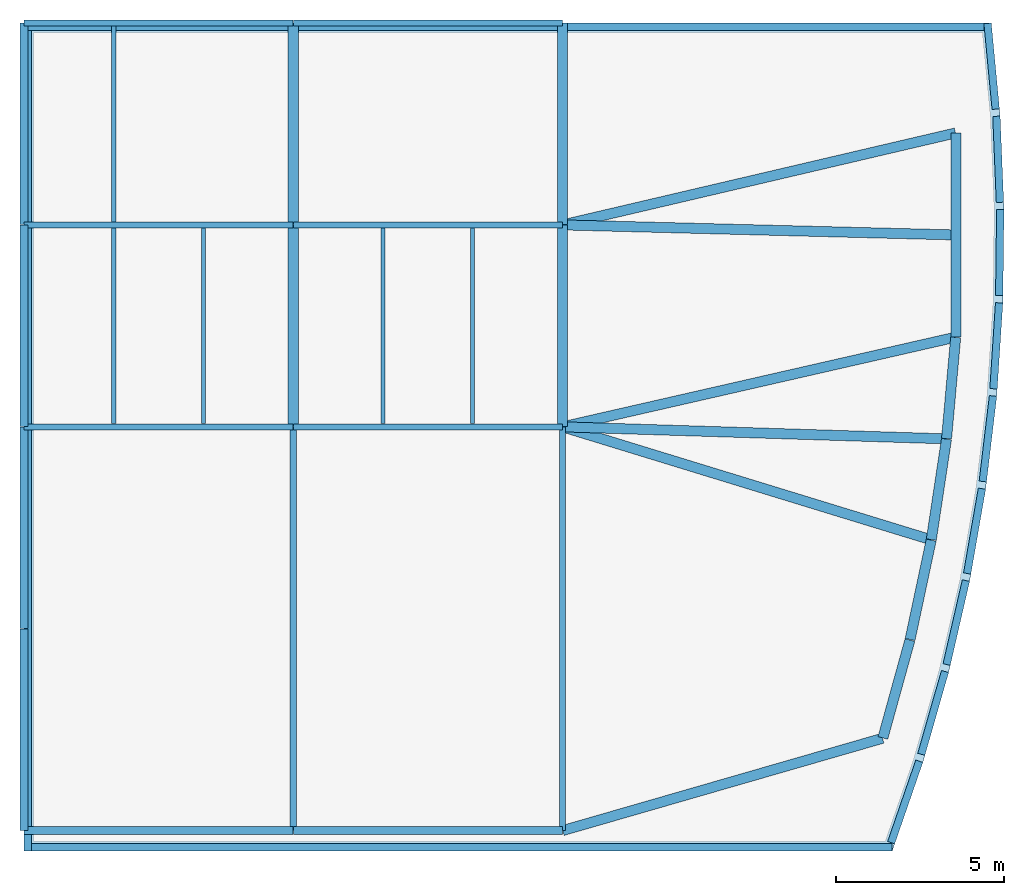
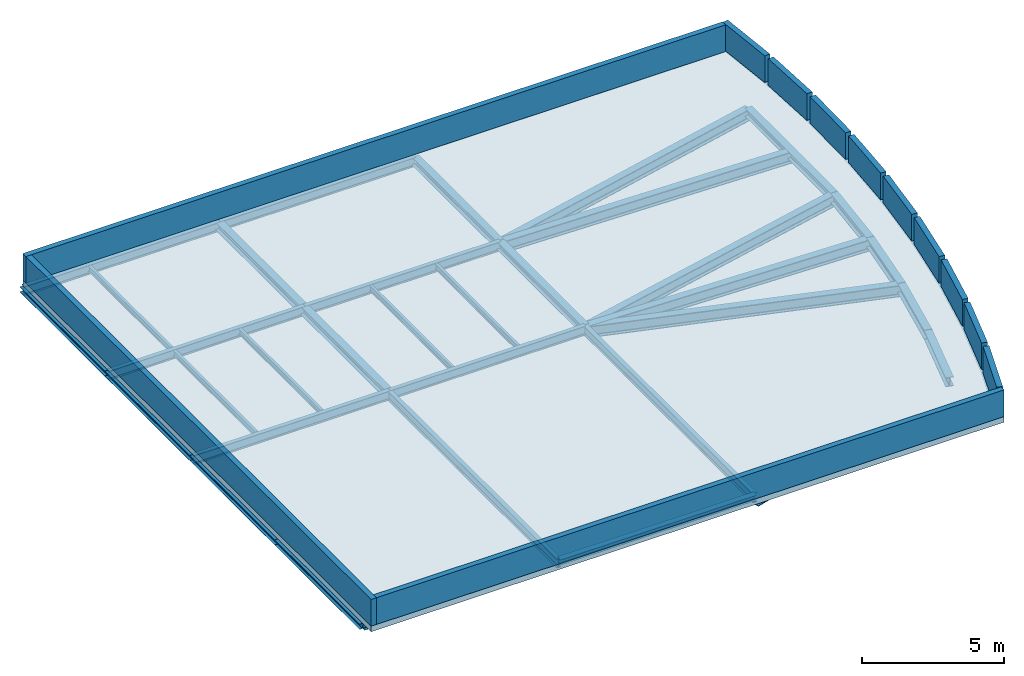
# One storey, part 1 of 2: 34 beams, 12 walls, 1 slab.
"""IFC4 building model written with IfcOpenShell, lengths in metres."""

from ifc_helpers import new_model, si_unit, direction, frame, frame_2d, origin, origin_2d, place, context, subcontext, project, spatial, polyline, rectangle, i_section, outline, extrude, material, layer, layer_set, material_profile, profile_set, type_object, element, save


model = new_model("IFC4")

# Units and contexts
model_context = context("Model", 3, precision=1e-05, world=origin(), true_north=direction((0.0, 1.0)))
body_context = subcontext(model_context, "Body", "Model", "MODEL_VIEW")
ifc_project = project(units=[si_unit("LENGTHUNIT", "METRE"), si_unit("AREAUNIT", "SQUARE_METRE"), si_unit("VOLUMEUNIT", "CUBIC_METRE"), si_unit("PLANEANGLEUNIT", "RADIAN"), si_unit("MASSUNIT", "GRAM", prefix="KILO")], contexts=[model_context])

# Site, building, storey
site_placement = place(None, origin())
site = spatial("IfcSite", under=ifc_project, at=site_placement, CompositionType="ELEMENT")
building_placement = place(site_placement, origin())
building = spatial("IfcBuilding", under=site, at=building_placement, Name="Cymarion Research Institute", CompositionType="ELEMENT")
storey_placement = place(building_placement, frame((0.0, 0.0, 46.199951171875)))
storey = spatial("IfcBuildingStorey", under=building, at=storey_placement, Name="RF", CompositionType="ELEMENT", Elevation=46.199951171875)

# Beams
ifc_material_1 = material(Name="Steel S355", Category="steel")
ifc_material_profile_1 = material_profile(ifc_material_1, i_section(OverallWidth=0.179931640625, OverallDepth=0.39990234375, WebThickness=0.008544921875, FlangeThickness=0.013427734375, FilletRadius=0.02099609375, at=origin_2d()), Name="IPE 400")
ifc_profile_set_1 = profile_set([ifc_material_profile_1], Name="Steel S355")
beam_type_1 = type_object("IfcBeamType", Name="PRIMARY GIRDER BM05 IPE 400", PredefinedType="BEAM", material=ifc_profile_set_1)
for number, where, z_axis, x_axis, name in (
    (1, (138.60595703125, 17.5, -0.43994140625), (1.0, 0.0, 0.0), (0.0, 1.0, 0.0), "RF V1 girder BM05 #2456"),
    (2, (146.60595703125, 17.5, -0.43994140625), (1.0, 0.0, 0.0), (0.0, 1.0, 0.0), "RF V1 girder BM05 #2457"),
    (3, (138.60595703125, 23.5, -0.43994140625), (1.0, 0.0, 0.0), (0.0, 1.0, 0.0), "RF V1 girder BM05 #2458"),
    (4, (146.60595703125, 23.5, -0.43994140625), (1.0, 0.0, 0.0), (0.0, 1.0, 0.0), "RF V1 girder BM05 #2459"),
    (5, (138.60595703125, 29.5, -0.43994140625), (1.0, 0.0, 0.0), (0.0, 1.0, 0.0), "RF V1 girder BM05 #2460"),
    (6, (146.60595703125, 29.5, -0.43994140625), (1.0, 0.0, 0.0), (0.0, 1.0, 0.0), "RF V1 girder BM05 #2461"),
):
    element("IfcBeam", number, at=place(storey_placement, frame(where, z_axis=z_axis, x_axis=x_axis)), inside=storey, type_object=beam_type_1, Name=name, PredefinedType="BEAM", context=body_context, shape_type="SweptSolid", body=[
        extrude(i_section(OverallWidth=0.179931640625, OverallDepth=0.39990234375, WebThickness=0.008544921875, FlangeThickness=0.013427734375, FilletRadius=0.02099609375, at=origin_2d()), origin(), (0.0, 0.0, 1.0), 7.988037109375),
    ])
for number, where, z_axis, x_axis, name in (
    (7, (146.60009765625, 5.506103515625, -0.43994140625), (0.0, 1.0, 0.0), (-1.0, 0.0, 0.0), "RF V1 girder BM05 #2466"),
    (8, (154.60009765625, 5.506103515625, -0.43994140625), (0.0, 1.0, 0.0), (-1.0, 0.0, 0.0), "RF V1 girder BM05 #2469"),
):
    element("IfcBeam", number, at=place(storey_placement, frame(where, z_axis=z_axis, x_axis=x_axis)), inside=storey, type_object=beam_type_1, Name=name, PredefinedType="BEAM", context=body_context, shape_type="SweptSolid", body=[
        extrude(i_section(OverallWidth=0.179931640625, OverallDepth=0.39990234375, WebThickness=0.008544921875, FlangeThickness=0.013427734375, FilletRadius=0.02099609375, at=origin_2d()), origin(), (0.0, 0.0, 1.0), 11.98779296875),
    ])
ifc_material_profile_2 = material_profile(ifc_material_1, i_section(OverallWidth=0.300048828125, OverallDepth=0.5, WebThickness=0.014404296875, FlangeThickness=0.028076171875, FilletRadius=0.027099609375, at=origin_2d()), Name="HEB 500")
ifc_profile_set_2 = profile_set([ifc_material_profile_2], Name="Steel S355")
beam_type_2 = type_object("IfcBeamType", Name="PRIMARY GIRDER BM09 HEB 500", PredefinedType="BEAM", material=ifc_profile_set_2)
beam_1_placement = place(storey_placement, frame((154.607666015625, 5.502197265625, -0.489990234375), z_axis=(0.960790340878, 0.277275893067, 0.0), x_axis=(-0.277275893067, 0.960790340878, 0.0)))
element("IfcBeam", 9, at=beam_1_placement, inside=storey, type_object=beam_type_2, Name="RF V1 radial prow girder BM09 #2477", PredefinedType="BEAM", context=body_context, shape_type="SweptSolid", body=[
    extrude(i_section(OverallWidth=0.300048828125, OverallDepth=0.5, WebThickness=0.014404296875, FlangeThickness=0.028076171875, FilletRadius=0.027099609375, at=origin_2d()), origin(), (0.0, 0.0, 1.0), 9.8916015625),
])
beam_2_placement = place(storey_placement, frame((154.607666015625, 17.497802734375, -0.489990234375), z_axis=(0.956111343016, -0.29300358318, 0.0), x_axis=(0.29300358318, 0.956111343016, 0.0)))
element("IfcBeam", 10, at=beam_2_placement, inside=storey, type_object=beam_type_2, Name="RF V1 radial prow girder BM09 #2478", PredefinedType="BEAM", context=body_context, shape_type="SweptSolid", body=[
    extrude(i_section(OverallWidth=0.300048828125, OverallDepth=0.5, WebThickness=0.014404296875, FlangeThickness=0.028076171875, FilletRadius=0.027099609375, at=origin_2d()), origin(), (0.0, 0.0, 1.0), 11.447021484375),
])
beam_3_placement = place(storey_placement, frame((154.60791015625, 17.499755859375, -0.489990234375), z_axis=(0.999510612774, -0.03128154332, 0.0), x_axis=(0.03128154332, 0.999510612774, 0.0)))
element("IfcBeam", 11, at=beam_3_placement, inside=storey, type_object=beam_type_2, Name="RF V1 radial prow girder BM09 #2479", PredefinedType="BEAM", context=body_context, shape_type="SweptSolid", body=[
    extrude(i_section(OverallWidth=0.300048828125, OverallDepth=0.5, WebThickness=0.014404296875, FlangeThickness=0.028076171875, FilletRadius=0.027099609375, at=origin_2d()), origin(), (0.0, 0.0, 1.0), 11.402587890625),
])
beam_4_placement = place(storey_placement, frame((154.60791015625, 17.501708984375, -0.489990234375), z_axis=(0.974944767555, 0.222447072846, 0.0), x_axis=(-0.222447072846, 0.974944767555, 0.0)))
element("IfcBeam", 12, at=beam_4_placement, inside=storey, type_object=beam_type_2, Name="RF V1 radial prow girder BM09 #2480", PredefinedType="BEAM", context=body_context, shape_type="SweptSolid", body=[
    extrude(i_section(OverallWidth=0.300048828125, OverallDepth=0.5, WebThickness=0.014404296875, FlangeThickness=0.028076171875, FilletRadius=0.027099609375, at=origin_2d()), origin(), (0.0, 0.0, 1.0), 11.969482421875),
])
beam_5_placement = place(storey_placement, frame((154.60791015625, 23.499755859375, -0.489990234375), z_axis=(0.999675752574, -0.025463497715, 0.0), x_axis=(0.025463497715, 0.999675752574, 0.0)))
element("IfcBeam", 13, at=beam_5_placement, inside=storey, type_object=beam_type_2, Name="RF V1 radial prow girder BM09 #2481", PredefinedType="BEAM", context=body_context, shape_type="SweptSolid", body=[
    extrude(i_section(OverallWidth=0.300048828125, OverallDepth=0.5, WebThickness=0.014404296875, FlangeThickness=0.028076171875, FilletRadius=0.027099609375, at=origin_2d()), origin(), (0.0, 0.0, 1.0), 11.764404296875),
])
beam_6_placement = place(storey_placement, frame((154.60791015625, 23.501708984375, -0.489990234375), z_axis=(0.973701737176, 0.22782652835, 0.0), x_axis=(-0.22782652835, 0.973701737176, 0.0)))
element("IfcBeam", 14, at=beam_6_placement, inside=storey, type_object=beam_type_2, Name="RF V1 radial prow girder BM09 #2482", PredefinedType="BEAM", context=body_context, shape_type="SweptSolid", body=[
    extrude(i_section(OverallWidth=0.300048828125, OverallDepth=0.5, WebThickness=0.014404296875, FlangeThickness=0.028076171875, FilletRadius=0.027099609375, at=origin_2d()), origin(), (0.0, 0.0, 1.0), 11.98486328125),
])
ifc_material_profile_3 = material_profile(ifc_material_1, i_section(OverallWidth=0.300048828125, OverallDepth=0.39990234375, WebThickness=0.013427734375, FlangeThickness=0.02392578125, FilletRadius=0.027099609375, at=origin_2d()), Name="HEB 400")
ifc_profile_set_3 = profile_set([ifc_material_profile_3], Name="Steel S355")
beam_type_3 = type_object("IfcBeamType", Name="PRIMARY GIRDER BM11 HEB 400", PredefinedType="BEAM", material=ifc_profile_set_3)
for number, where, z_axis, x_axis, name in (
    (15, (164.12109375, 8.254638671875, -0.43994140625), (0.266488575035, 0.963838077364, 0.0), (-0.963838077364, 0.266488575035, 0.0), "RF V1 prow ring girder BM11 #2473"),
    (16, (164.929443359375, 11.180419921875, -0.43994140625), (0.208198161849, 0.978086665589, 0.0), (-0.978086665589, 0.208198161849, 0.0), "RF V1 prow ring girder BM11 #2474"),
    (17, (165.56103515625, 14.1494140625, -0.43994140625), (0.149261642014, 0.988797735749, 0.0), (-0.988797735749, 0.149261642014, 0.0), "RF V1 prow ring girder BM11 #2475"),
):
    element("IfcBeam", number, at=place(storey_placement, frame(where, z_axis=z_axis, x_axis=x_axis)), inside=storey, type_object=beam_type_3, Name=name, PredefinedType="BEAM", context=body_context, shape_type="SweptSolid", body=[
        extrude(i_section(OverallWidth=0.300048828125, OverallDepth=0.39990234375, WebThickness=0.013427734375, FlangeThickness=0.02392578125, FilletRadius=0.027099609375, at=origin_2d()), origin(), (0.0, 0.0, 1.0), 3.01953125),
    ])
beam_7_placement = place(storey_placement, frame((166.013671875, 17.15087890625, -0.43994140625), z_axis=(0.089835817944, 0.995956588318, 0.0), x_axis=(-0.995956588318, 0.089835817944, 0.0)))
element("IfcBeam", 18, at=beam_7_placement, inside=storey, type_object=beam_type_3, Name="RF V1 prow ring girder BM11 #2476", PredefinedType="BEAM", context=body_context, shape_type="SweptSolid", body=[
    extrude(i_section(OverallWidth=0.300048828125, OverallDepth=0.39990234375, WebThickness=0.013427734375, FlangeThickness=0.02392578125, FilletRadius=0.027099609375, at=origin_2d()), origin(), (0.0, 0.0, 1.0), 3.019287109375),
])
ifc_material_profile_4 = material_profile(ifc_material_1, i_section(OverallWidth=0.300048828125, OverallDepth=0.35009765625, WebThickness=0.010009765625, FlangeThickness=0.017578125, FilletRadius=0.027099609375, at=origin_2d()), Name="HEA 360")
ifc_profile_set_4 = profile_set([ifc_material_profile_4], Name="Steel S355")
beam_type_4 = type_object("IfcBeamType", Name="PRIMARY GIRDER BM12 HEA 360", PredefinedType="BEAM", material=ifc_profile_set_4)
for number, where, z_axis, x_axis, name in (
    (19, (146.60009765625, 17.506103515625, -0.4150390625), (0.0, 1.0, 0.0), (-1.0, 0.0, 0.0), "RF V1 girder BM12 #2467"),
    (20, (146.60009765625, 23.506103515625, -0.4150390625), (0.0, 1.0, 0.0), (-1.0, 0.0, 0.0), "RF V1 girder BM12 #2468"),
    (21, (154.60009765625, 17.506103515625, -0.4150390625), (0.0, 1.0, 0.0), (-1.0, 0.0, 0.0), "RF V1 girder BM12 #2470"),
    (22, (154.60009765625, 23.506103515625, -0.4150390625), (0.0, 1.0, 0.0), (-1.0, 0.0, 0.0), "RF V1 girder BM12 #2471"),
):
    element("IfcBeam", number, at=place(storey_placement, frame(where, z_axis=z_axis, x_axis=x_axis)), inside=storey, type_object=beam_type_4, Name=name, PredefinedType="BEAM", context=body_context, shape_type="SweptSolid", body=[
        extrude(i_section(OverallWidth=0.300048828125, OverallDepth=0.35009765625, WebThickness=0.010009765625, FlangeThickness=0.017578125, FilletRadius=0.027099609375, at=origin_2d()), origin(), (0.0, 0.0, 1.0), 5.98779296875),
    ])
beam_8_placement = place(storey_placement, frame((166.2900390625, 20.172119140625, -0.4150390625), z_axis=(0.0, 1.0, 0.0), x_axis=(-1.0, 0.0, 0.0)))
element("IfcBeam", 23, at=beam_8_placement, inside=storey, type_object=beam_type_4, Name="RF V1 girder BM12 #2472", PredefinedType="BEAM", context=body_context, shape_type="SweptSolid", body=[
    extrude(i_section(OverallWidth=0.300048828125, OverallDepth=0.35009765625, WebThickness=0.010009765625, FlangeThickness=0.017578125, FilletRadius=0.027099609375, at=origin_2d()), origin(), (0.0, 0.0, 1.0), 6.055908203125),
])
ifc_material_profile_5 = material_profile(ifc_material_1, i_section(OverallWidth=0.1201171875, OverallDepth=0.239990234375, WebThickness=0.006103515625, FlangeThickness=0.009765625, FilletRadius=0.014892578125, at=origin_2d()), Name="IPE 240")
ifc_profile_set_5 = profile_set([ifc_material_profile_5], Name="Steel S355")
beam_type_5 = type_object("IfcBeamType", Name="SECONDARY JOIST JS04 IPE 240", PredefinedType="JOIST", material=ifc_profile_set_5)
for number, where, z_axis, x_axis, name in (
    (24, (141.2666015625, 17.593994140625, -0.35986328125), (0.0, 1.0, 0.0), (-1.0, 0.0, 0.0), "RF V1 secondary joist JS04 #2483"),
    (25, (143.933349609375, 17.593994140625, -0.35986328125), (0.0, 1.0, 0.0), (-1.0, 0.0, 0.0), "RF V1 secondary joist JS04 #2484"),
    (26, (149.2666015625, 17.593994140625, -0.35986328125), (0.0, 1.0, 0.0), (-1.0, 0.0, 0.0), "RF V1 secondary joist JS04 #2485"),
    (27, (151.933349609375, 17.593994140625, -0.35986328125), (0.0, 1.0, 0.0), (-1.0, 0.0, 0.0), "RF V1 secondary joist JS04 #2486"),
    (28, (141.2666015625, 23.593994140625, -0.35986328125), (0.0, 1.0, 0.0), (-1.0, 0.0, 0.0), "RF V1 secondary joist JS04 #2487"),
):
    element("IfcBeam", number, at=place(storey_placement, frame(where, z_axis=z_axis, x_axis=x_axis)), inside=storey, type_object=beam_type_5, Name=name, PredefinedType="JOIST", context=body_context, shape_type="SweptSolid", body=[
        extrude(i_section(OverallWidth=0.1201171875, OverallDepth=0.239990234375, WebThickness=0.006103515625, FlangeThickness=0.009765625, FilletRadius=0.014892578125, at=origin_2d()), origin(), (0.0, 0.0, 1.0), 5.81201171875),
    ])
ifc_material_profile_6 = material_profile(ifc_material_1, i_section(OverallWidth=0.239990234375, OverallDepth=0.22998046875, WebThickness=0.007568359375, FlangeThickness=0.011962890625, FilletRadius=0.02099609375, at=origin_2d()), Name="HEA 240")
ifc_profile_set_6 = profile_set([ifc_material_profile_6], Name="Steel S355")
beam_type_6 = type_object("IfcBeamType", Name="SPANDREL BEAM SPB03 HEA 240", PredefinedType="SPANDREL", material=ifc_profile_set_6)
for number, where, z_axis, x_axis, name in (
    (29, (138.60595703125, 5.5, -0.35498046875), (1.0, 0.0, 0.0), (0.0, 1.0, 0.0), "RF V1 girder SPB03 #2454"),
    (30, (146.60595703125, 5.5, -0.35498046875), (1.0, 0.0, 0.0), (0.0, 1.0, 0.0), "RF V1 girder SPB03 #2455"),
):
    element("IfcBeam", number, at=place(storey_placement, frame(where, z_axis=z_axis, x_axis=x_axis)), inside=storey, type_object=beam_type_6, Name=name, PredefinedType="SPANDREL", context=body_context, shape_type="SweptSolid", body=[
        extrude(i_section(OverallWidth=0.239990234375, OverallDepth=0.22998046875, WebThickness=0.007568359375, FlangeThickness=0.011962890625, FilletRadius=0.02099609375, at=origin_2d()), origin(), (0.0, 0.0, 1.0), 7.988037109375),
    ])
for number, where, z_axis, x_axis, name in (
    (31, (138.60009765625, 5.506103515625, -0.35498046875), (0.0, 1.0, 0.0), (-1.0, 0.0, 0.0), "RF V1 girder SPB03 #2462"),
    (32, (138.60009765625, 11.506103515625, -0.35498046875), (0.0, 1.0, 0.0), (-1.0, 0.0, 0.0), "RF V1 girder SPB03 #2463"),
    (33, (138.60009765625, 17.506103515625, -0.35498046875), (0.0, 1.0, 0.0), (-1.0, 0.0, 0.0), "RF V1 girder SPB03 #2464"),
    (34, (138.60009765625, 23.506103515625, -0.35498046875), (0.0, 1.0, 0.0), (-1.0, 0.0, 0.0), "RF V1 girder SPB03 #2465"),
):
    element("IfcBeam", number, at=place(storey_placement, frame(where, z_axis=z_axis, x_axis=x_axis)), inside=storey, type_object=beam_type_6, Name=name, PredefinedType="SPANDREL", context=body_context, shape_type="SweptSolid", body=[
        extrude(i_section(OverallWidth=0.239990234375, OverallDepth=0.22998046875, WebThickness=0.007568359375, FlangeThickness=0.011962890625, FilletRadius=0.02099609375, at=origin_2d()), origin(), (0.0, 0.0, 1.0), 5.98779296875),
    ])

# Slab
ifc_material_2 = material(Name="Concrete C35/45", Category="concrete")
ifc_layer_1 = layer(ifc_material_2, 0.239990234375)
ifc_layer_set_1 = layer_set([ifc_layer_1], Name="Concrete C35/45")
slab_type = type_object("IfcSlabType", Name="ROOF SLAB SL-RF240 240MM", PredefinedType="ROOF", material=ifc_layer_set_1)
slab_placement = place(storey_placement, frame((0.0, 0.0, -0.239990234375)))
element("IfcSlab", 35, at=slab_placement, inside=storey, type_object=slab_type, Name="RF insulated flat roof deck ROOF-RF-V1", PredefinedType="ROOF", context=body_context, shape_type="SweptSolid", body=[
    extrude(outline(polyline([(138.60009765625, 4.89990234375), (164.39990234375, 4.89990234375), (165.30810546875, 7.526611328125), (166.07470703125, 10.197998046875), (166.697509765625, 12.906494140625), (167.1748046875, 15.64453125), (167.5048828125, 18.404052734375), (167.68701171875, 21.177490234375), (167.720947265625, 23.956298828125), (167.606201171875, 26.733154296875), (167.343505859375, 29.5), (138.60009765625, 29.5), (138.60009765625, 4.89990234375)])), origin(), (0.0, 0.0, 1.0), 0.239990234375),
])

# Walls
ifc_material_3 = material(Name="Precast concrete C40/50", Category="concrete")
ifc_layer_2 = layer(ifc_material_3, 0.219970703125)
ifc_layer_set_2 = layer_set([ifc_layer_2], Name="Precast concrete C40/50")
wall_type = type_object("IfcWallType", Name="EXTERIOR WALL EW-PAR220 220MM", PredefinedType="PARAPET", material=ifc_layer_set_2)
wall_1_placement = place(storey_placement, frame((138.820068359375, 5.010009765625, 0.0), z_axis=(0.0, 0.0, 1.0), x_axis=(1.0, 0.0, 0.0)))
element("IfcWall", 36, at=wall_1_placement, inside=storey, type_object=wall_type, Name="RF ROOF-RF-V1 precast roof parapet #16", PredefinedType="PARAPET", context=body_context, shape_type="SweptSolid", body=[
    extrude(rectangle(XDim=25.579833984375, YDim=0.219970703125, at=frame_2d((12.7900390625, 0.0))), origin(), (0.0, 0.0, 1.0), 1.150146484375),
])
wall_2_placement = place(storey_placement, frame((164.367919921875, 5.143798828125, 0.0), z_axis=(0.0, 0.0, 1.0), x_axis=(0.326740286257, 0.94511416524, 0.0)))
element("IfcWall", 37, at=wall_2_placement, inside=storey, type_object=wall_type, Name="RF ROOF-RF-V1 precast roof parapet #17", PredefinedType="PARAPET", context=body_context, shape_type="SweptSolid", body=[
    extrude(rectangle(XDim=2.55908203125, YDim=0.219970703125, at=frame_2d((1.279541015625, 0.0))), origin(), (0.0, 0.0, 1.0), 1.150146484375),
])
wall_3_placement = place(storey_placement, frame((165.26318359375, 7.768310546875, 0.0), z_axis=(0.0, 0.0, 1.0), x_axis=(0.275766633614, 0.961224616718, 0.0)))
element("IfcWall", 38, at=wall_3_placement, inside=storey, type_object=wall_type, Name="RF ROOF-RF-V1 precast roof parapet #18", PredefinedType="PARAPET", context=body_context, shape_type="SweptSolid", body=[
    extrude(rectangle(XDim=2.5595703125, YDim=0.219970703125, at=frame_2d((1.27978515625, 0.0))), origin(), (0.0, 0.0, 1.0), 1.150146484375),
])
wall_4_placement = place(storey_placement, frame((166.016845703125, 10.437255859375, 0.0), z_axis=(0.0, 0.0, 1.0), x_axis=(0.224106917381, 0.974564564091, 0.0)))
element("IfcWall", 39, at=wall_4_placement, inside=storey, type_object=wall_type, Name="RF ROOF-RF-V1 precast roof parapet #19", PredefinedType="PARAPET", context=body_context, shape_type="SweptSolid", body=[
    extrude(rectangle(XDim=2.55908203125, YDim=0.219970703125, at=frame_2d((1.279541015625, 0.0))), origin(), (0.0, 0.0, 1.0), 1.150146484375),
])
wall_5_placement = place(storey_placement, frame((166.626953125, 13.14208984375, 0.0), z_axis=(0.0, 0.0, 1.0), x_axis=(0.171695405777, 0.985150083812, 0.0)))
element("IfcWall", 40, at=wall_5_placement, inside=storey, type_object=wall_type, Name="RF ROOF-RF-V1 precast roof parapet #20", PredefinedType="PARAPET", context=body_context, shape_type="SweptSolid", body=[
    extrude(rectangle(XDim=2.5595703125, YDim=0.219970703125, at=frame_2d((1.27978515625, 0.0))), origin(), (0.0, 0.0, 1.0), 1.150146484375),
])
wall_6_placement = place(storey_placement, frame((167.091552734375, 15.876220703125, 0.0), z_axis=(0.0, 0.0, 1.0), x_axis=(0.118866844185, 0.992910204074, 0.0)))
element("IfcWall", 41, at=wall_6_placement, inside=storey, type_object=wall_type, Name="RF ROOF-RF-V1 precast roof parapet #21", PredefinedType="PARAPET", context=body_context, shape_type="SweptSolid", body=[
    extrude(rectangle(XDim=2.55908203125, YDim=0.219970703125, at=frame_2d((1.279541015625, 0.0))), origin(), (0.0, 0.0, 1.0), 1.150146484375),
])
for number, where, z_axis, x_axis, name in (
    (42, (167.40966796875, 18.630859375, 0.0), (0.0, 0.0, 1.0), (0.065537573633, 0.997850102191, 0.0), "RF ROOF-RF-V1 precast roof parapet #22"),
    (43, (167.579833984375, 21.398681640625, 0.0), (0.0, 0.0, 1.0), (0.012210499664, 0.99992544907, 0.0), "RF ROOF-RF-V1 precast roof parapet #23"),
    (44, (167.60205078125, 24.171630859375, 0.0), (0.0, 0.0, 1.0), (-0.041305181189, 0.999146576838, 0.0), "RF ROOF-RF-V1 precast roof parapet #24"),
):
    element("IfcWall", number, at=place(storey_placement, frame(where, z_axis=z_axis, x_axis=x_axis)), inside=storey, type_object=wall_type, Name=name, PredefinedType="PARAPET", context=body_context, shape_type="SweptSolid", body=[
        extrude(rectangle(XDim=2.559326171875, YDim=0.219970703125, at=frame_2d((1.27978515625, 0.0))), origin(), (0.0, 0.0, 1.0), 1.150146484375),
    ])
wall_7_placement = place(storey_placement, frame((167.47607421875, 26.94189453125, 0.0), z_axis=(0.0, 0.0, 1.0), x_axis=(-0.094638012183, 0.995511751136, 0.0)))
element("IfcWall", 45, at=wall_7_placement, inside=storey, type_object=wall_type, Name="RF ROOF-RF-V1 precast roof parapet #25", PredefinedType="PARAPET", context=body_context, shape_type="SweptSolid", body=[
    extrude(rectangle(XDim=2.55908203125, YDim=0.219970703125, at=frame_2d((1.279541015625, 0.0))), origin(), (0.0, 0.0, 1.0), 1.150146484375),
])
wall_8_placement = place(storey_placement, frame((167.12353515625, 29.389892578125, 0.0), z_axis=(0.0, 0.0, 1.0), x_axis=(-1.0, 0.0, 0.0)))
element("IfcWall", 46, at=wall_8_placement, inside=storey, type_object=wall_type, Name="RF ROOF-RF-V1 precast roof parapet #26", PredefinedType="PARAPET", context=body_context, shape_type="SweptSolid", body=[
    extrude(rectangle(XDim=28.5234375, YDim=0.219970703125, at=frame_2d((14.26171875, 0.0))), origin(), (0.0, 0.0, 1.0), 1.150146484375),
])
wall_9_placement = place(storey_placement, frame((138.7099609375, 29.280029296875, 0.0), z_axis=(0.0, 0.0, 1.0), x_axis=(0.0, -1.0, 0.0)))
element("IfcWall", 47, at=wall_9_placement, inside=storey, type_object=wall_type, Name="RF ROOF-RF-V1 precast roof parapet #27", PredefinedType="PARAPET", context=body_context, shape_type="SweptSolid", body=[
    extrude(rectangle(XDim=24.380126953125, YDim=0.219970703125, at=frame_2d((12.18994140625, 0.0))), origin(), (0.0, 0.0, 1.0), 1.150146484375),
])

save(model, "model.ifc")
